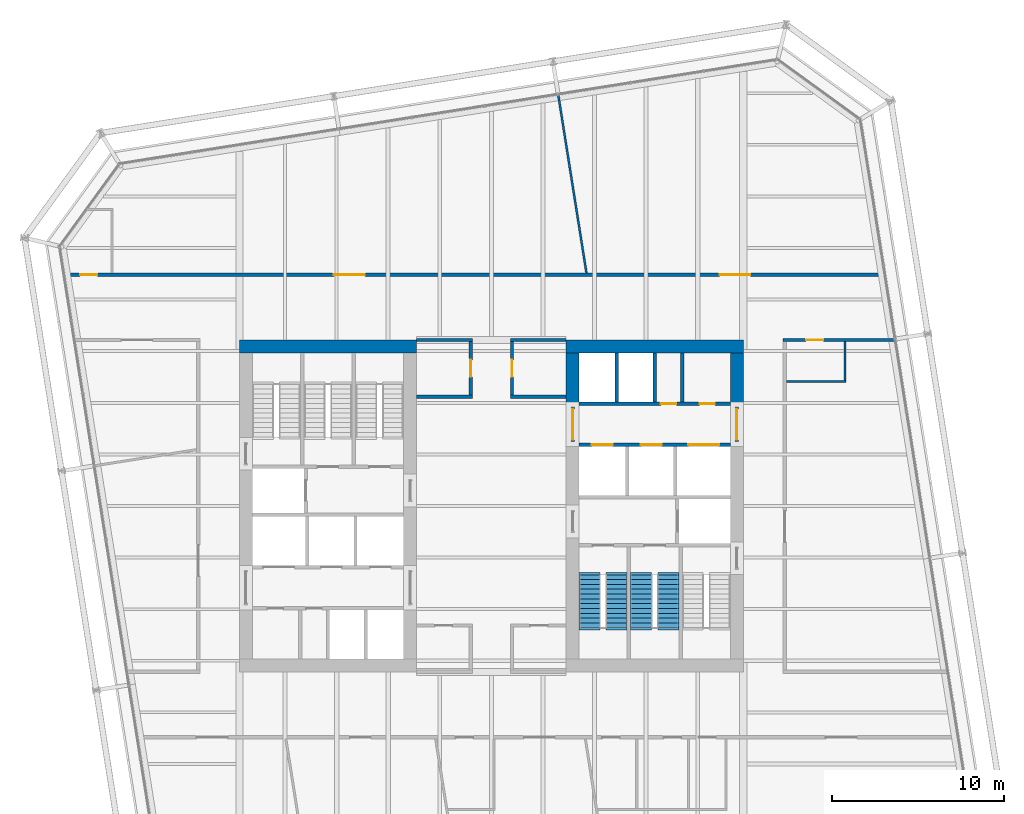
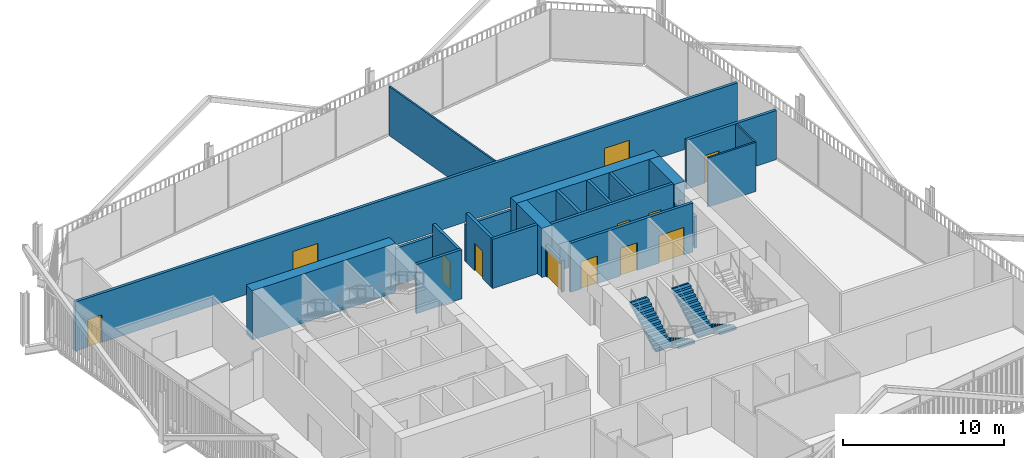
# One storey, part 20 of 22: 22 walls, 13 doors, 4 stair flights, 13 openings, 2 elements without a shape of their own.
"""IFC4 building model written with IfcOpenShell, lengths in metres."""

from ifc_helpers import new_model, si_unit, direction, frame, frame_2d, origin, place, context, subcontext, project, spatial, polyline, rectangle, outline, extrude, material, layer, layer_set, type_object, element, fill, aggregate, save


model = new_model("IFC4")

# Units and contexts
model_context = context("Model", 3, precision=1e-05, world=origin(), true_north=direction((0.0, 1.0)))
body_context = subcontext(model_context, "Body", "Model", "MODEL_VIEW")
ifc_project = project(units=[si_unit("LENGTHUNIT", "METRE"), si_unit("AREAUNIT", "SQUARE_METRE"), si_unit("VOLUMEUNIT", "CUBIC_METRE"), si_unit("PLANEANGLEUNIT", "RADIAN"), si_unit("MASSUNIT", "GRAM", prefix="KILO")], contexts=[model_context])

# Site, building, storey
site_placement = place(None, origin())
site = spatial("IfcSite", under=ifc_project, at=site_placement, CompositionType="ELEMENT")
building_placement = place(site_placement, origin())
building = spatial("IfcBuilding", under=site, at=building_placement, Name="Millrace Tower", CompositionType="ELEMENT")
storey_placement = place(building_placement, frame((0.0, 0.0, 145.10009765625)))
storey = spatial("IfcBuildingStorey", under=building, at=storey_placement, Name="L32", CompositionType="ELEMENT", Elevation=145.10009765625)

# Walls
ifc_material_1 = material(Name="Concrete C70", Category="concrete")
ifc_layer_1 = layer(ifc_material_1, 0.75)
ifc_layer_set_1 = layer_set([ifc_layer_1], Name="Concrete C70")
wall_type_1 = type_object("IfcWallType", Name="Core wall 750 Concrete C70", PredefinedType="SHEAR", material=ifc_layer_set_1)
for number, where, z_axis, x_axis, name in (
    (1, (-14.64990234375, 9.27490234375, 0.0), (0.0, 0.0, 1.0), (1.0, 0.0, 0.0), "Core wall W L32"),
    (2, (14.64990234375, 9.27490234375, 0.0), (0.0, 0.0, 1.0), (-1.0, 0.0, 0.0), "Core wall E L32"),
):
    element("IfcWall", number, at=place(storey_placement, frame(where, z_axis=z_axis, x_axis=x_axis)), inside=storey, type_object=wall_type_1, Name=name, PredefinedType="SHEAR", context=body_context, shape_type="SweptSolid", body=[
        extrude(rectangle(XDim=10.2998046875, YDim=0.75, at=frame_2d((5.14990234375, 0.0))), origin(), (0.0, 0.0, 1.0), 3.739990234375),
    ])
for number, where, z_axis, x_axis, name in (
    (3, (14.27490234375, 8.89990234375, 0.0), (0.0, 0.0, 1.0), (0.0, -1.0, 0.0), "Core wall E L32"),
    (4, (4.72509765625, 8.89990234375, 0.0), (0.0, 0.0, 1.0), (0.0, -1.0, 0.0), "Core wall E L32"),
):
    element("IfcWall", number, at=place(storey_placement, frame(where, z_axis=z_axis, x_axis=x_axis)), inside=storey, type_object=wall_type_1, Name=name, PredefinedType="SHEAR", context=body_context, shape_type="SweptSolid", body=[
        extrude(rectangle(XDim=3.14990234375, YDim=0.75, at=frame_2d((1.574951171875, 0.0))), origin(), (0.0, 0.0, 1.0), 3.739990234375),
    ])
ifc_material_2 = material(Name="Masonry partition, fire-rated", Category="masonry")
ifc_layer_2 = layer(ifc_material_2, 0.199951171875)
ifc_layer_set_2 = layer_set([ifc_layer_2], Name="Masonry partition, fire-rated")
wall_type_2 = type_object("IfcWallType", Name="Corridor wall 200", PredefinedType="PARTITIONING", material=ifc_layer_set_2)
for number, where, z_axis, x_axis, name in (
    (5, (-4.35009765625, 6.35009765625, 0.0), (0.0, 0.0, 1.0), (1.0, 0.0, 0.0), "Corridor wall L32"),
    (6, (1.10009765625, 6.35009765625, 0.0), (0.0, 0.0, 1.0), (1.0, 0.0, 0.0), "Corridor wall L32"),
):
    element("IfcWall", number, at=place(storey_placement, frame(where, z_axis=z_axis, x_axis=x_axis)), inside=storey, type_object=wall_type_2, Name=name, PredefinedType="PARTITIONING", context=body_context, shape_type="SweptSolid", body=[
        extrude(rectangle(XDim=3.25, YDim=0.199951171875, at=frame_2d((1.625, 0.0))), origin(), (0.0, 0.0, 1.0), 3.739990234375),
    ])
for number, where, z_axis, x_axis, name in (
    (7, (-4.35009765625, 9.64990234375, 0.0), (0.0, 0.0, 1.0), (1.0, 0.0, 0.0), "Corridor wall L32"),
    (8, (1.10009765625, 9.64990234375, 0.0), (0.0, 0.0, 1.0), (1.0, 0.0, 0.0), "Corridor wall L32"),
):
    element("IfcWall", number, at=place(storey_placement, frame(where, z_axis=z_axis, x_axis=x_axis)), inside=storey, type_object=wall_type_2, Name=name, PredefinedType="PARTITIONING", context=body_context, shape_type="SweptSolid", body=[
        extrude(rectangle(XDim=3.25, YDim=0.199951171875, at=frame_2d((1.625, 0.0))), origin(), (0.0, 0.0, 1.0), 2.812744140625),
    ])

# Wall, opening, door
wall_1_placement = place(storey_placement, frame((16.949951171875, 9.64990234375, 0.0), z_axis=(0.0, 0.0, 1.0), x_axis=(1.0, 0.0, 0.0)))
wall_1 = element("IfcWall", 9, at=wall_1_placement, inside=storey, type_object=wall_type_2, Name="Corridor wall L32", PredefinedType="PARTITIONING", context=body_context, shape_type="SweptSolid", body=[
    extrude(rectangle(XDim=6.489501953125, YDim=0.199951171875, at=frame_2d((3.24462890625, 0.0))), origin(), (0.0, 0.0, 1.0), 3.739990234375),
])
opening_1_placement = place(wall_1_placement, frame((1.35009765625, 0.0, 0.0)))
opening_1 = element("IfcOpeningElement", 10, at=opening_1_placement, cuts=wall_1, Name="Opening 32-P009", PredefinedType="OPENING", context=body_context, shape_type="SweptSolid", body=[
    extrude(rectangle(XDim=1.0, YDim=2.10009765625, at=frame_2d((0.5, 1.050048828125))), frame((0.0, 0.10986328125, 0.0), z_axis=(0.0, -1.0, 0.0), x_axis=(1.0, 0.0, 0.0)), (0.0, 0.0, 1.0), 0.219970703125),
])
ifc_material_3 = material(Name="Steel door set, fire-rated", Category="steel")
door_type_1 = type_object("IfcDoorType", Name="Corridor door 1000 x 2100", OperationType="SINGLE_SWING_LEFT", PredefinedType="DOOR", material=ifc_material_3)
door_1_placement = place(opening_1_placement, frame((1.0, 0.0, 0.0), z_axis=(0.0, 0.0, 1.0), x_axis=(-1.0, 0.0, 0.0)))
door_1 = element("IfcDoor", 11, at=door_1_placement, inside=storey, type_object=door_type_1, Name="Door 32-P009", OperationType="SINGLE_SWING_RIGHT", OverallHeight=2.10009765625, OverallWidth=1.0, PredefinedType="DOOR", context=body_context, shape_type="SweptSolid", body=[
    extrude(rectangle(XDim=1.0, YDim=2.10009765625, at=frame_2d((0.5, 1.050048828125))), frame((0.0, 0.02490234375, 0.0), z_axis=(0.0, -1.0, 0.0), x_axis=(1.0, 0.0, 0.0)), (0.0, 0.0, 1.0), 0.050048828125),
])
fill(opening_1, door_1)

# Wall, openings, doors
wall_2_placement = place(storey_placement, frame((-24.80908203125, 13.449951171875, 0.0), z_axis=(0.0, 0.0, 1.0), x_axis=(1.0, 0.0, 0.0)))
wall_2 = element("IfcWall", 12, at=wall_2_placement, inside=storey, type_object=wall_type_2, Name="Corridor wall L32", PredefinedType="PARTITIONING", context=body_context, shape_type="SweptSolid", body=[
    extrude(rectangle(XDim=47.646728515625, YDim=0.199951171875, at=frame_2d((23.8232421875, 0.0))), origin(), (0.0, 0.0, 1.0), 3.739990234375),
])
opening_2_placement = place(wall_2_placement, frame((15.652587890625, 0.0, 0.0)))
opening_2 = element("IfcOpeningElement", 13, at=opening_2_placement, cuts=wall_2, Name="Opening 32-P005", PredefinedType="OPENING", context=body_context, shape_type="SweptSolid", body=[
    extrude(rectangle(XDim=1.800048828125, YDim=2.10009765625, at=frame_2d((0.89990234375, 1.050048828125))), frame((0.0, 0.10986328125, 0.0), z_axis=(0.0, -1.0, 0.0), x_axis=(1.0, 0.0, 0.0)), (0.0, 0.0, 1.0), 0.219970703125),
])
opening_3_placement = place(wall_2_placement, frame((0.901123046875, 0.0, 0.0)))
opening_3 = element("IfcOpeningElement", 14, at=opening_3_placement, cuts=wall_2, Name="Opening 32-P006", PredefinedType="OPENING", context=body_context, shape_type="SweptSolid", body=[
    extrude(rectangle(XDim=1.0, YDim=2.10009765625, at=frame_2d((0.5, 1.050048828125))), frame((0.0, 0.10986328125, 0.0), z_axis=(0.0, -1.0, 0.0), x_axis=(1.0, 0.0, 0.0)), (0.0, 0.0, 1.0), 0.219970703125),
])
opening_4_placement = place(wall_2_placement, frame((38.074951171875, 0.0, 0.0)))
opening_4 = element("IfcOpeningElement", 15, at=opening_4_placement, cuts=wall_2, Name="Opening 32-P007", PredefinedType="OPENING", context=body_context, shape_type="SweptSolid", body=[
    extrude(rectangle(XDim=1.800048828125, YDim=2.10009765625, at=frame_2d((0.89990234375, 1.050048828125))), frame((0.0, 0.10986328125, 0.0), z_axis=(0.0, -1.0, 0.0), x_axis=(1.0, 0.0, 0.0)), (0.0, 0.0, 1.0), 0.219970703125),
])
door_2_placement = place(opening_3_placement, origin())
door_2 = element("IfcDoor", 16, at=door_2_placement, inside=storey, type_object=door_type_1, Name="Door 32-P006", OperationType="SINGLE_SWING_LEFT", OverallHeight=2.10009765625, OverallWidth=1.0, PredefinedType="DOOR", context=body_context, shape_type="SweptSolid", body=[
    extrude(rectangle(XDim=1.0, YDim=2.10009765625, at=frame_2d((0.5, 1.050048828125))), frame((0.0, 0.02490234375, 0.0), z_axis=(0.0, -1.0, 0.0), x_axis=(1.0, 0.0, 0.0)), (0.0, 0.0, 1.0), 0.050048828125),
])
fill(opening_3, door_2)
ifc_material_4 = material(Name="Steel door set, fire-rated", Category="steel")
door_type_2 = type_object("IfcDoorType", Name="Corridor door 1800 x 2100", OperationType="DOUBLE_DOOR_SINGLE_SWING", PredefinedType="DOOR", material=ifc_material_4)
door_3_placement = place(opening_2_placement, frame((1.800048828125, 0.0, 0.0), z_axis=(0.0, 0.0, 1.0), x_axis=(-1.0, 0.0, 0.0)))
door_3 = element("IfcDoor", 17, at=door_3_placement, inside=storey, type_object=door_type_2, Name="Door 32-P005", OperationType="DOUBLE_DOOR_SINGLE_SWING", OverallHeight=2.10009765625, OverallWidth=1.800048828125, PredefinedType="DOOR", context=body_context, shape_type="SweptSolid", body=[
    extrude(rectangle(XDim=1.800048828125, YDim=2.10009765625, at=frame_2d((0.89990234375, 1.050048828125))), frame((0.0, 0.02490234375, 0.0), z_axis=(0.0, -1.0, 0.0), x_axis=(1.0, 0.0, 0.0)), (0.0, 0.0, 1.0), 0.050048828125),
])
fill(opening_2, door_3)
door_4_placement = place(opening_4_placement, frame((1.800048828125, 0.0, 0.0), z_axis=(0.0, 0.0, 1.0), x_axis=(-1.0, 0.0, 0.0)))
door_4 = element("IfcDoor", 18, at=door_4_placement, inside=storey, type_object=door_type_2, Name="Door 32-P007", OperationType="DOUBLE_DOOR_SINGLE_SWING", OverallHeight=2.10009765625, OverallWidth=1.800048828125, PredefinedType="DOOR", context=body_context, shape_type="SweptSolid", body=[
    extrude(rectangle(XDim=1.800048828125, YDim=2.10009765625, at=frame_2d((0.89990234375, 1.050048828125))), frame((0.0, 0.02490234375, 0.0), z_axis=(0.0, -1.0, 0.0), x_axis=(1.0, 0.0, 0.0)), (0.0, 0.0, 1.0), 0.050048828125),
])
fill(opening_4, door_4)

# Wall, opening, door
wall_3_placement = place(storey_placement, frame((1.199951171875, 6.449951171875, 0.0), z_axis=(0.0, 0.0, 1.0), x_axis=(0.0, 1.0, 0.0)))
wall_3 = element("IfcWall", 19, at=wall_3_placement, inside=storey, type_object=wall_type_2, Name="Corridor wall L32", PredefinedType="PARTITIONING", context=body_context, shape_type="SweptSolid", body=[
    extrude(rectangle(XDim=3.10009765625, YDim=0.199951171875, at=frame_2d((1.550048828125, 0.0))), origin(), (0.0, 0.0, 1.0), 3.739990234375),
])
opening_5_placement = place(wall_3_placement, frame((1.050048828125, 0.0, 0.0)))
opening_5 = element("IfcOpeningElement", 20, at=opening_5_placement, cuts=wall_3, Name="Opening 32-P002", PredefinedType="OPENING", context=body_context, shape_type="SweptSolid", body=[
    extrude(rectangle(XDim=1.0, YDim=2.10009765625, at=frame_2d((0.5, 1.050048828125))), frame((0.0, 0.10986328125, 0.0), z_axis=(0.0, -1.0, 0.0), x_axis=(1.0, 0.0, 0.0)), (0.0, 0.0, 1.0), 0.219970703125),
])
door_5_placement = place(opening_5_placement, frame((1.0, 0.0, 0.0), z_axis=(0.0, 0.0, 1.0), x_axis=(-1.0, 0.0, 0.0)))
door_5 = element("IfcDoor", 21, at=door_5_placement, inside=storey, type_object=door_type_1, Name="Door 32-P002", OperationType="SINGLE_SWING_RIGHT", OverallHeight=2.10009765625, OverallWidth=1.0, PredefinedType="DOOR", context=body_context, shape_type="SweptSolid", body=[
    extrude(rectangle(XDim=1.0, YDim=2.10009765625, at=frame_2d((0.5, 1.050048828125))), frame((0.0, 0.02490234375, 0.0), z_axis=(0.0, -1.0, 0.0), x_axis=(1.0, 0.0, 0.0)), (0.0, 0.0, 1.0), 0.050048828125),
])
fill(opening_5, door_5)

wall_4_placement = place(storey_placement, frame((-1.199951171875, 6.449951171875, 0.0), z_axis=(0.0, 0.0, 1.0), x_axis=(0.0, 1.0, 0.0)))
wall_4 = element("IfcWall", 22, at=wall_4_placement, inside=storey, type_object=wall_type_2, Name="Corridor wall L32", PredefinedType="PARTITIONING", context=body_context, shape_type="SweptSolid", body=[
    extrude(rectangle(XDim=3.10009765625, YDim=0.199951171875, at=frame_2d((1.550048828125, 0.0))), origin(), (0.0, 0.0, 1.0), 3.739990234375),
])
opening_6_placement = place(wall_4_placement, frame((1.050048828125, 0.0, 0.0)))
opening_6 = element("IfcOpeningElement", 23, at=opening_6_placement, cuts=wall_4, Name="Opening 32-P001", PredefinedType="OPENING", context=body_context, shape_type="SweptSolid", body=[
    extrude(rectangle(XDim=1.0, YDim=2.10009765625, at=frame_2d((0.5, 1.050048828125))), frame((0.0, 0.10986328125, 0.0), z_axis=(0.0, -1.0, 0.0), x_axis=(1.0, 0.0, 0.0)), (0.0, 0.0, 1.0), 0.219970703125),
])
door_6_placement = place(opening_6_placement, origin())
door_6 = element("IfcDoor", 24, at=door_6_placement, inside=storey, type_object=door_type_1, Name="Door 32-P001", OperationType="SINGLE_SWING_LEFT", OverallHeight=2.10009765625, OverallWidth=1.0, PredefinedType="DOOR", context=body_context, shape_type="SweptSolid", body=[
    extrude(rectangle(XDim=1.0, YDim=2.10009765625, at=frame_2d((0.5, 1.050048828125))), frame((0.0, 0.02490234375, 0.0), z_axis=(0.0, -1.0, 0.0), x_axis=(1.0, 0.0, 0.0)), (0.0, 0.0, 1.0), 0.050048828125),
])
fill(opening_6, door_6)

# Wall, openings, doors
ifc_material_5 = material(Name="Masonry partition, fire-rated", Category="masonry")
ifc_layer_3 = layer(ifc_material_5, 0.199951171875)
ifc_layer_set_3 = layer_set([ifc_layer_3], Name="Masonry partition, fire-rated")
wall_type_3 = type_object("IfcWallType", Name="Lift shaft wall 200", PredefinedType="PARTITIONING", material=ifc_layer_set_3)
wall_5_placement = place(storey_placement, frame((13.89990234375, 5.949951171875, 0.0), z_axis=(0.0, 0.0, 1.0), x_axis=(-1.0, 0.0, 0.0)))
wall_5 = element("IfcWall", 25, at=wall_5_placement, inside=storey, type_object=wall_type_3, Name="Lift shaft wall E L32", PredefinedType="PARTITIONING", context=body_context, shape_type="SweptSolid", body=[
    extrude(rectangle(XDim=8.7998046875, YDim=0.199951171875, at=frame_2d((4.39990234375, 0.0))), origin(), (0.0, 0.0, 1.0), 3.739990234375),
])
opening_7_placement = place(wall_5_placement, frame((0.8974609375, 0.0, 0.0)))
opening_7 = element("IfcOpeningElement", 26, at=opening_7_placement, cuts=wall_5, Name="Opening 32-C013", PredefinedType="OPENING", context=body_context, shape_type="SweptSolid", body=[
    extrude(rectangle(XDim=0.89990234375, YDim=2.10009765625, at=frame_2d((0.449951171875, 1.050048828125))), frame((0.0, 0.10986328125, 0.0), z_axis=(0.0, -1.0, 0.0), x_axis=(1.0, 0.0, 0.0)), (0.0, 0.0, 1.0), 0.219970703125),
])
opening_8_placement = place(wall_5_placement, frame((3.1474609375, 0.0, 0.0)))
opening_8 = element("IfcOpeningElement", 27, at=opening_8_placement, cuts=wall_5, Name="Opening 32-C014", PredefinedType="OPENING", context=body_context, shape_type="SweptSolid", body=[
    extrude(rectangle(XDim=0.89990234375, YDim=2.10009765625, at=frame_2d((0.449951171875, 1.050048828125))), frame((0.0, 0.10986328125, 0.0), z_axis=(0.0, -1.0, 0.0), x_axis=(1.0, 0.0, 0.0)), (0.0, 0.0, 1.0), 0.219970703125),
])
ifc_material_6 = material(Name="Steel door, fire-rated", Category="steel")
door_type_3 = type_object("IfcDoorType", Name="Service room door 900 x 2100", OperationType="SINGLE_SWING_LEFT", PredefinedType="DOOR", material=ifc_material_6)
door_7_placement = place(opening_7_placement, frame((0.89990234375, 0.0, 0.0), z_axis=(0.0, 0.0, 1.0), x_axis=(-1.0, 0.0, 0.0)))
door_7 = element("IfcDoor", 28, at=door_7_placement, inside=storey, type_object=door_type_3, Name="Service room door 32-C013", OperationType="SINGLE_SWING_RIGHT", OverallHeight=2.10009765625, OverallWidth=0.89990234375, PredefinedType="DOOR", context=body_context, shape_type="SweptSolid", body=[
    extrude(rectangle(XDim=0.89990234375, YDim=2.10009765625, at=frame_2d((0.449951171875, 1.050048828125))), frame((0.0, 0.02490234375, 0.0), z_axis=(0.0, -1.0, 0.0), x_axis=(1.0, 0.0, 0.0)), (0.0, 0.0, 1.0), 0.050048828125),
])
fill(opening_7, door_7)
door_8_placement = place(opening_8_placement, frame((0.89990234375, 0.0, 0.0), z_axis=(0.0, 0.0, 1.0), x_axis=(-1.0, 0.0, 0.0)))
door_8 = element("IfcDoor", 29, at=door_8_placement, inside=storey, type_object=door_type_3, Name="Service room door 32-C014", OperationType="SINGLE_SWING_RIGHT", OverallHeight=2.10009765625, OverallWidth=0.89990234375, PredefinedType="DOOR", context=body_context, shape_type="SweptSolid", body=[
    extrude(rectangle(XDim=0.89990234375, YDim=2.10009765625, at=frame_2d((0.449951171875, 1.050048828125))), frame((0.0, 0.02490234375, 0.0), z_axis=(0.0, -1.0, 0.0), x_axis=(1.0, 0.0, 0.0)), (0.0, 0.0, 1.0), 0.050048828125),
])
fill(opening_8, door_8)

wall_6_placement = place(storey_placement, frame((13.89990234375, 3.550048828125, 0.0), z_axis=(0.0, 0.0, 1.0), x_axis=(-1.0, 0.0, 0.0)))
wall_6 = element("IfcWall", 30, at=wall_6_placement, inside=storey, type_object=wall_type_3, Name="Lift shaft wall E L32", PredefinedType="PARTITIONING", context=body_context, shape_type="SweptSolid", body=[
    extrude(rectangle(XDim=8.7998046875, YDim=0.199951171875, at=frame_2d((4.39990234375, 0.0))), origin(), (0.0, 0.0, 1.0), 3.739990234375),
])
opening_9_placement = place(wall_6_placement, frame((0.64990234375, 0.0, 0.0)))
opening_9 = element("IfcOpeningElement", 31, at=opening_9_placement, cuts=wall_6, Name="Opening 32-LD13", PredefinedType="OPENING", context=body_context, shape_type="SweptSolid", body=[
    extrude(rectangle(XDim=1.800048828125, YDim=2.10009765625, at=frame_2d((0.89990234375, 1.050048828125))), frame((0.0, 0.10986328125, 0.0), z_axis=(0.0, -1.0, 0.0), x_axis=(1.0, 0.0, 0.0)), (0.0, 0.0, 1.0), 0.219970703125),
])
opening_10_placement = place(wall_6_placement, frame((4.0, 0.0, 0.0)))
opening_10 = element("IfcOpeningElement", 32, at=opening_10_placement, cuts=wall_6, Name="Opening 32-LD14", PredefinedType="OPENING", context=body_context, shape_type="SweptSolid", body=[
    extrude(rectangle(XDim=1.199951171875, YDim=2.10009765625, at=frame_2d((0.60009765625, 1.050048828125))), frame((0.0, 0.10986328125, 0.0), z_axis=(0.0, -1.0, 0.0), x_axis=(1.0, 0.0, 0.0)), (0.0, 0.0, 1.0), 0.219970703125),
])
opening_11_placement = place(wall_6_placement, frame((6.85009765625, 0.0, 0.0)))
opening_11 = element("IfcOpeningElement", 33, at=opening_11_placement, cuts=wall_6, Name="Opening 32-LD15", PredefinedType="OPENING", context=body_context, shape_type="SweptSolid", body=[
    extrude(rectangle(XDim=1.199951171875, YDim=2.10009765625, at=frame_2d((0.60009765625, 1.050048828125))), frame((0.0, 0.10986328125, 0.0), z_axis=(0.0, -1.0, 0.0), x_axis=(1.0, 0.0, 0.0)), (0.0, 0.0, 1.0), 0.219970703125),
])
ifc_material_7 = material(Name="Stainless steel, fire-rated", Category="steel")
door_type_4 = type_object("IfcDoorType", Name="Lift landing door 1200 x 2100", OperationType="DOUBLE_DOOR_SLIDING", PredefinedType="DOOR", material=ifc_material_7)
door_9_placement = place(opening_10_placement, origin())
door_9 = element("IfcDoor", 34, at=door_9_placement, inside=storey, type_object=door_type_4, Name="Lift landing door LF14 L32", OperationType="DOUBLE_DOOR_SLIDING", OverallHeight=2.10009765625, OverallWidth=1.199951171875, PredefinedType="DOOR", context=body_context, shape_type="SweptSolid", body=[
    extrude(rectangle(XDim=1.199951171875, YDim=2.10009765625, at=frame_2d((0.60009765625, 1.050048828125))), frame((0.0, 0.02490234375, 0.0), z_axis=(0.0, -1.0, 0.0), x_axis=(1.0, 0.0, 0.0)), (0.0, 0.0, 1.0), 0.050048828125),
])
fill(opening_10, door_9)
door_10_placement = place(opening_11_placement, origin())
door_10 = element("IfcDoor", 35, at=door_10_placement, inside=storey, type_object=door_type_4, Name="Lift landing door LF15 L32", OperationType="DOUBLE_DOOR_SLIDING", OverallHeight=2.10009765625, OverallWidth=1.199951171875, PredefinedType="DOOR", context=body_context, shape_type="SweptSolid", body=[
    extrude(rectangle(XDim=1.199951171875, YDim=2.10009765625, at=frame_2d((0.60009765625, 1.050048828125))), frame((0.0, 0.02490234375, 0.0), z_axis=(0.0, -1.0, 0.0), x_axis=(1.0, 0.0, 0.0)), (0.0, 0.0, 1.0), 0.050048828125),
])
fill(opening_11, door_10)
ifc_material_8 = material(Name="Stainless steel, fire-rated", Category="steel")
door_type_5 = type_object("IfcDoorType", Name="Lift landing door 1800 x 2100", OperationType="DOUBLE_DOOR_SLIDING", PredefinedType="DOOR", material=ifc_material_8)
door_11_placement = place(opening_9_placement, origin())
door_11 = element("IfcDoor", 36, at=door_11_placement, inside=storey, type_object=door_type_5, Name="Lift landing door LF13 L32", OperationType="DOUBLE_DOOR_SLIDING", OverallHeight=2.10009765625, OverallWidth=1.800048828125, PredefinedType="DOOR", context=body_context, shape_type="SweptSolid", body=[
    extrude(rectangle(XDim=1.800048828125, YDim=2.10009765625, at=frame_2d((0.89990234375, 1.050048828125))), frame((0.0, 0.02490234375, 0.0), z_axis=(0.0, -1.0, 0.0), x_axis=(1.0, 0.0, 0.0)), (0.0, 0.0, 1.0), 0.050048828125),
])
fill(opening_9, door_11)

# Walls
for number, where, z_axis, x_axis, name in (
    (37, (9.5, 8.89990234375, 0.0), (0.0, 0.0, 1.0), (0.0, -1.0, 0.0), "Lift shaft wall E L32"),
    (38, (7.300048828125, 8.89990234375, 0.0), (0.0, 0.0, 1.0), (0.0, -1.0, 0.0), "Lift shaft wall E L32"),
):
    element("IfcWall", number, at=place(storey_placement, frame(where, z_axis=z_axis, x_axis=x_axis)), inside=storey, type_object=wall_type_3, Name=name, PredefinedType="PARTITIONING", context=body_context, shape_type="SweptSolid", body=[
        extrude(rectangle(XDim=2.849853515625, YDim=0.199951171875, at=frame_2d((1.4248046875, 0.0))), origin(), (0.0, 0.0, 1.0), 3.739990234375),
    ])

# Wall, opening, door
ifc_material_9 = material(Name="Masonry partition, fire-rated", Category="masonry")
ifc_layer_4 = layer(ifc_material_9, 0.199951171875)
ifc_layer_set_4 = layer_set([ifc_layer_4], Name="Masonry partition, fire-rated")
wall_type_4 = type_object("IfcWallType", Name="Lobby wall 200", PredefinedType="PARTITIONING", material=ifc_layer_set_4)
wall_7_placement = place(storey_placement, frame((14.27490234375, 5.75, 0.0), z_axis=(0.0, 0.0, 1.0), x_axis=(0.0, -1.0, 0.0)))
wall_7 = element("IfcWall", 39, at=wall_7_placement, inside=storey, type_object=wall_type_4, Name="Lobby wall E L32", PredefinedType="PARTITIONING", context=body_context, shape_type="SweptSolid", body=[
    extrude(rectangle(XDim=2.0, YDim=0.199951171875, at=frame_2d((1.0, 0.0))), origin(), (0.0, 0.0, 1.0), 2.39990234375),
])
opening_12_placement = place(wall_7_placement, frame((0.10009765625, 0.0, 0.0)))
opening_12 = element("IfcOpeningElement", 40, at=opening_12_placement, cuts=wall_7, Name="Opening 32-C009", PredefinedType="OPENING", context=body_context, shape_type="SweptSolid", body=[
    extrude(rectangle(XDim=1.800048828125, YDim=2.10009765625, at=frame_2d((0.89990234375, 1.050048828125))), frame((0.0, 0.10986328125, 0.0), z_axis=(0.0, -1.0, 0.0), x_axis=(1.0, 0.0, 0.0)), (0.0, 0.0, 1.0), 0.219970703125),
])
ifc_material_10 = material(Name="Steel door, fire-rated", Category="steel")
door_type_6 = type_object("IfcDoorType", Name="Lobby door 1800 x 2100", OperationType="DOUBLE_DOOR_SINGLE_SWING", PredefinedType="DOOR", material=ifc_material_10)
door_12_placement = place(opening_12_placement, origin())
door_12 = element("IfcDoor", 41, at=door_12_placement, inside=storey, type_object=door_type_6, Name="Lobby door 32-C009", OperationType="DOUBLE_DOOR_SINGLE_SWING", OverallHeight=2.10009765625, OverallWidth=1.800048828125, PredefinedType="DOOR", context=body_context, shape_type="SweptSolid", body=[
    extrude(rectangle(XDim=1.800048828125, YDim=2.10009765625, at=frame_2d((0.89990234375, 1.050048828125))), frame((0.0, 0.02490234375, 0.0), z_axis=(0.0, -1.0, 0.0), x_axis=(1.0, 0.0, 0.0)), (0.0, 0.0, 1.0), 0.050048828125),
])
fill(opening_12, door_12)

wall_8_placement = place(storey_placement, frame((4.72509765625, 5.75, 0.0), z_axis=(0.0, 0.0, 1.0), x_axis=(0.0, -1.0, 0.0)))
wall_8 = element("IfcWall", 42, at=wall_8_placement, inside=storey, type_object=wall_type_4, Name="Lobby wall E L32", PredefinedType="PARTITIONING", context=body_context, shape_type="SweptSolid", body=[
    extrude(rectangle(XDim=2.0, YDim=0.199951171875, at=frame_2d((1.0, 0.0))), origin(), (0.0, 0.0, 1.0), 2.39990234375),
])
opening_13_placement = place(wall_8_placement, frame((0.10009765625, 0.0, 0.0)))
opening_13 = element("IfcOpeningElement", 43, at=opening_13_placement, cuts=wall_8, Name="Opening 32-C011", PredefinedType="OPENING", context=body_context, shape_type="SweptSolid", body=[
    extrude(rectangle(XDim=1.800048828125, YDim=2.10009765625, at=frame_2d((0.89990234375, 1.050048828125))), frame((0.0, 0.10986328125, 0.0), z_axis=(0.0, -1.0, 0.0), x_axis=(1.0, 0.0, 0.0)), (0.0, 0.0, 1.0), 0.219970703125),
])
door_13_placement = place(opening_13_placement, origin())
door_13 = element("IfcDoor", 44, at=door_13_placement, inside=storey, type_object=door_type_6, Name="Lobby door 32-C011", OperationType="DOUBLE_DOOR_SINGLE_SWING", OverallHeight=2.10009765625, OverallWidth=1.800048828125, PredefinedType="DOOR", context=body_context, shape_type="SweptSolid", body=[
    extrude(rectangle(XDim=1.800048828125, YDim=2.10009765625, at=frame_2d((0.89990234375, 1.050048828125))), frame((0.0, 0.02490234375, 0.0), z_axis=(0.0, -1.0, 0.0), x_axis=(1.0, 0.0, 0.0)), (0.0, 0.0, 1.0), 0.050048828125),
])
fill(opening_13, door_13)

# Walls
ifc_material_11 = material(Name="Gypsum board partition")
ifc_layer_5 = layer(ifc_material_11, 0.1201171875)
ifc_layer_set_5 = layer_set([ifc_layer_5], Name="Gypsum board partition")
wall_type_5 = type_object("IfcWallType", Name="Partition wall 120", PredefinedType="PARTITIONING", material=ifc_layer_set_5)
wall_9_placement = place(storey_placement, frame((3.89013671875, 23.8994140625, 0.0), z_axis=(0.0, 0.0, 1.0), x_axis=(0.156414767056, -0.987691460248, 0.0)))
element("IfcWall", 45, at=wall_9_placement, inside=storey, type_object=wall_type_5, Name="Partition wall L32", PredefinedType="PARTITIONING", context=body_context, shape_type="SweptSolid", body=[
    extrude(rectangle(XDim=10.4794921875, YDim=0.1201171875, at=frame_2d((5.23974609375, 0.0))), origin(), (0.0, 0.0, 1.0), 3.739990234375),
])
wall_10_placement = place(storey_placement, frame((17.14990234375, 7.25, 0.0), z_axis=(0.0, 0.0, 1.0), x_axis=(1.0, 0.0, 0.0)))
element("IfcWall", 46, at=wall_10_placement, inside=storey, type_object=wall_type_5, Name="Partition wall L32", PredefinedType="PARTITIONING", context=body_context, shape_type="SweptSolid", body=[
    extrude(rectangle(XDim=3.460205078125, YDim=0.1201171875, at=frame_2d((1.72998046875, 0.0))), origin(), (0.0, 0.0, 1.0), 3.739990234375),
])
wall_11_placement = place(storey_placement, frame((20.550048828125, 7.31005859375, 0.0), z_axis=(0.0, 0.0, 1.0), x_axis=(0.0, 1.0, 0.0)))
element("IfcWall", 47, at=wall_11_placement, inside=storey, type_object=wall_type_5, Name="Partition wall L32", PredefinedType="PARTITIONING", context=body_context, shape_type="SweptSolid", body=[
    extrude(rectangle(XDim=2.239990234375, YDim=0.1201171875, at=frame_2d((1.1201171875, 0.0))), origin(), (0.0, 0.0, 1.0), 3.739990234375),
])
ifc_material_12 = material(Name="Masonry partition, fire-rated", Category="masonry")
ifc_layer_6 = layer(ifc_material_12, 0.199951171875)
ifc_layer_set_6 = layer_set([ifc_layer_6], Name="Masonry partition, fire-rated")
wall_type_6 = type_object("IfcWallType", Name="Room partition 200", PredefinedType="PARTITIONING", material=ifc_layer_set_6)
wall_12_placement = place(storey_placement, frame((11.10498046875, 8.89990234375, 0.0), z_axis=(0.0, 0.0, 1.0), x_axis=(0.0, -1.0, 0.0)))
element("IfcWall", 48, at=wall_12_placement, inside=storey, type_object=wall_type_6, Name="Room partition E L32", PredefinedType="PARTITIONING", context=body_context, shape_type="SweptSolid", body=[
    extrude(rectangle(XDim=2.849853515625, YDim=0.199951171875, at=frame_2d((1.4248046875, 0.0))), origin(), (0.0, 0.0, 1.0), 3.739990234375),
])

# Stair, stair flights
ifc_material_13 = material(Name="Concrete C35", Category="concrete")
stair_type = type_object("IfcStairType", Name="Exit stair", PredefinedType="HALF_TURN_STAIR", material=ifc_material_13)
placement = place(storey_placement, origin())
stair_1 = element("IfcStair", 49, at=placement, inside=storey, type_object=stair_type, Name="Stair 2 E L32", PredefinedType="HALF_TURN_STAIR")
ifc_material_14 = material(Name="Concrete C35", Category="concrete")
stair_flight_type = type_object("IfcStairFlightType", Name="Exit stair flight", PredefinedType="STRAIGHT", material=ifc_material_14)
stair_flight_1_placement = place(storey_placement, frame((10.2900390625, -4.0, 0.0), z_axis=(0.0, 0.0, 1.0), x_axis=(0.0, -1.0, 0.0)))
stair_flight_1 = element("IfcStairFlight", 50, at=stair_flight_1_placement, type_object=stair_flight_type, Name="ST12 flight 1", NumberOfRisers=12, NumberOfTreads=11, PredefinedType="STRAIGHT", RiserHeight=0.1625, TreadLength=0.28, context=body_context, shape_type="SweptSolid", body=[
    extrude(outline(polyline([(-0.1201171875, -0.0400390625), (-0.1201171875, 0.0), (0.0, 0.0), (0.0, 0.16259765625), (0.280029296875, 0.16259765625), (0.280029296875, 0.324951171875), (0.56005859375, 0.324951171875), (0.56005859375, 0.487548828125), (0.840087890625, 0.487548828125), (0.840087890625, 0.64990234375), (1.1201171875, 0.64990234375), (1.1201171875, 0.8125), (1.39990234375, 0.8125), (1.39990234375, 0.97509765625), (1.679931640625, 0.97509765625), (1.679931640625, 1.137451171875), (1.9599609375, 1.137451171875), (1.9599609375, 1.300048828125), (2.239990234375, 1.300048828125), (2.239990234375, 1.46240234375), (2.52001953125, 1.46240234375), (2.52001953125, 1.625), (2.800048828125, 1.625), (2.800048828125, 1.78759765625), (3.080078125, 1.78759765625), (3.080078125, 1.8076171875), (3.199951171875, 1.8076171875), (3.199951171875, 1.6142578125), (3.080078125, 1.6142578125), (0.298583984375, 0.0), (0.298583984375, -0.0400390625), (-0.1201171875, -0.0400390625)])), frame((0.0, 0.60986328125, 0.0), z_axis=(0.0, -1.0, 0.0), x_axis=(1.0, 0.0, 0.0)), (0.0, 0.0, 1.0), 1.219970703125),
])
stair_flight_2_placement = place(storey_placement, frame((8.7099609375, -7.080078125, 1.949951171875), z_axis=(0.0, 0.0, 1.0), x_axis=(0.0, 1.0, 0.0)))
stair_flight_2 = element("IfcStairFlight", 51, at=stair_flight_2_placement, type_object=stair_flight_type, Name="ST12 flight 2", NumberOfRisers=12, NumberOfTreads=11, PredefinedType="STRAIGHT", RiserHeight=0.1625, TreadLength=0.28, context=body_context, shape_type="SweptSolid", body=[
    extrude(outline(polyline([(-0.1201171875, -0.0400390625), (-0.1201171875, 0.0), (0.0, 0.0), (0.0, 0.16259765625), (0.280029296875, 0.16259765625), (0.280029296875, 0.324951171875), (0.56005859375, 0.324951171875), (0.56005859375, 0.487548828125), (0.840087890625, 0.487548828125), (0.840087890625, 0.64990234375), (1.1201171875, 0.64990234375), (1.1201171875, 0.8125), (1.39990234375, 0.8125), (1.39990234375, 0.97509765625), (1.679931640625, 0.97509765625), (1.679931640625, 1.137451171875), (1.9599609375, 1.137451171875), (1.9599609375, 1.300048828125), (2.239990234375, 1.300048828125), (2.239990234375, 1.46240234375), (2.52001953125, 1.46240234375), (2.52001953125, 1.625), (2.800048828125, 1.625), (2.800048828125, 1.78759765625), (3.080078125, 1.78759765625), (3.080078125, 1.8076171875), (3.199951171875, 1.8076171875), (3.199951171875, 1.6142578125), (3.080078125, 1.6142578125), (0.298583984375, 0.0), (0.298583984375, -0.0400390625), (-0.1201171875, -0.0400390625)])), frame((0.0, 0.60986328125, 0.0), z_axis=(0.0, -1.0, 0.0), x_axis=(1.0, 0.0, 0.0)), (0.0, 0.0, 1.0), 1.219970703125),
])
aggregate(stair_1, [stair_flight_1, stair_flight_2])

stair_2 = element("IfcStair", 52, at=placement, inside=storey, type_object=stair_type, Name="Stair 3 E L32", PredefinedType="HALF_TURN_STAIR")
stair_flight_3_placement = place(storey_placement, frame((7.2900390625, -4.0, 0.0), z_axis=(0.0, 0.0, 1.0), x_axis=(0.0, -1.0, 0.0)))
stair_flight_3 = element("IfcStairFlight", 53, at=stair_flight_3_placement, type_object=stair_flight_type, Name="ST12 flight 1", NumberOfRisers=12, NumberOfTreads=11, PredefinedType="STRAIGHT", RiserHeight=0.1625, TreadLength=0.28, context=body_context, shape_type="SweptSolid", body=[
    extrude(outline(polyline([(-0.1201171875, -0.0400390625), (-0.1201171875, 0.0), (0.0, 0.0), (0.0, 0.16259765625), (0.280029296875, 0.16259765625), (0.280029296875, 0.324951171875), (0.56005859375, 0.324951171875), (0.56005859375, 0.487548828125), (0.840087890625, 0.487548828125), (0.840087890625, 0.64990234375), (1.1201171875, 0.64990234375), (1.1201171875, 0.8125), (1.39990234375, 0.8125), (1.39990234375, 0.97509765625), (1.679931640625, 0.97509765625), (1.679931640625, 1.137451171875), (1.9599609375, 1.137451171875), (1.9599609375, 1.300048828125), (2.239990234375, 1.300048828125), (2.239990234375, 1.46240234375), (2.52001953125, 1.46240234375), (2.52001953125, 1.625), (2.800048828125, 1.625), (2.800048828125, 1.78759765625), (3.080078125, 1.78759765625), (3.080078125, 1.8076171875), (3.199951171875, 1.8076171875), (3.199951171875, 1.6142578125), (3.080078125, 1.6142578125), (0.298583984375, 0.0), (0.298583984375, -0.0400390625), (-0.1201171875, -0.0400390625)])), frame((0.0, 0.60986328125, 0.0), z_axis=(0.0, -1.0, 0.0), x_axis=(1.0, 0.0, 0.0)), (0.0, 0.0, 1.0), 1.219970703125),
])
stair_flight_4_placement = place(storey_placement, frame((5.7099609375, -7.080078125, 1.949951171875), z_axis=(0.0, 0.0, 1.0), x_axis=(0.0, 1.0, 0.0)))
stair_flight_4 = element("IfcStairFlight", 54, at=stair_flight_4_placement, type_object=stair_flight_type, Name="ST12 flight 2", NumberOfRisers=12, NumberOfTreads=11, PredefinedType="STRAIGHT", RiserHeight=0.1625, TreadLength=0.28, context=body_context, shape_type="SweptSolid", body=[
    extrude(outline(polyline([(-0.1201171875, -0.0400390625), (-0.1201171875, 0.0), (0.0, 0.0), (0.0, 0.16259765625), (0.280029296875, 0.16259765625), (0.280029296875, 0.324951171875), (0.56005859375, 0.324951171875), (0.56005859375, 0.487548828125), (0.840087890625, 0.487548828125), (0.840087890625, 0.64990234375), (1.1201171875, 0.64990234375), (1.1201171875, 0.8125), (1.39990234375, 0.8125), (1.39990234375, 0.97509765625), (1.679931640625, 0.97509765625), (1.679931640625, 1.137451171875), (1.9599609375, 1.137451171875), (1.9599609375, 1.300048828125), (2.239990234375, 1.300048828125), (2.239990234375, 1.46240234375), (2.52001953125, 1.46240234375), (2.52001953125, 1.625), (2.800048828125, 1.625), (2.800048828125, 1.78759765625), (3.080078125, 1.78759765625), (3.080078125, 1.8076171875), (3.199951171875, 1.8076171875), (3.199951171875, 1.6142578125), (3.080078125, 1.6142578125), (0.298583984375, 0.0), (0.298583984375, -0.0400390625), (-0.1201171875, -0.0400390625)])), frame((0.0, 0.60986328125, 0.0), z_axis=(0.0, -1.0, 0.0), x_axis=(1.0, 0.0, 0.0)), (0.0, 0.0, 1.0), 1.219970703125),
])
aggregate(stair_2, [stair_flight_3, stair_flight_4])

save(model, "model.ifc")
